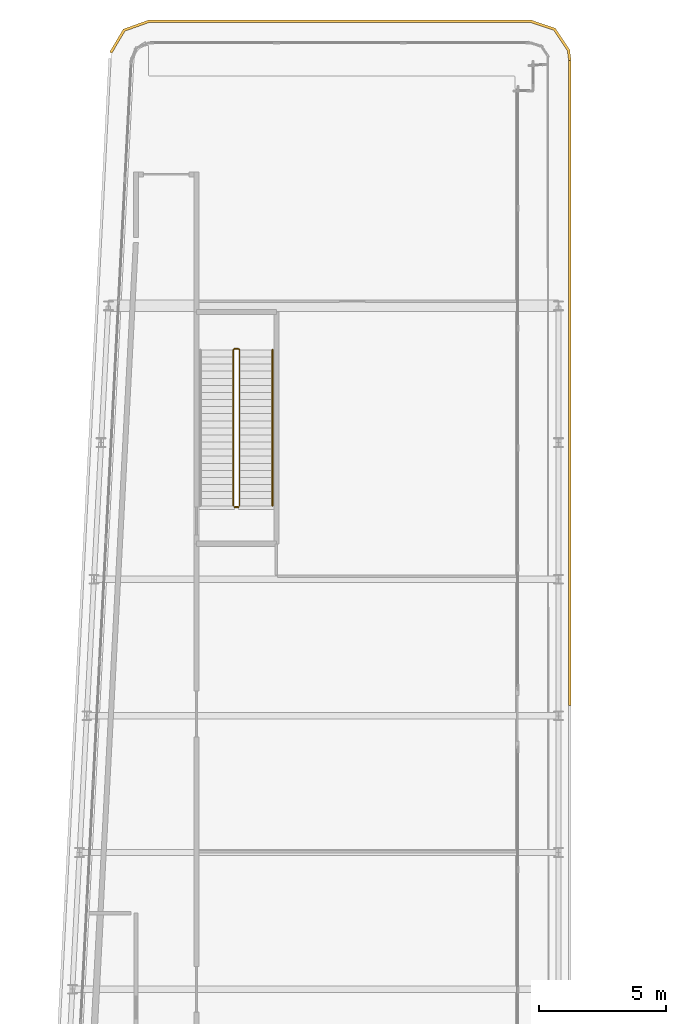
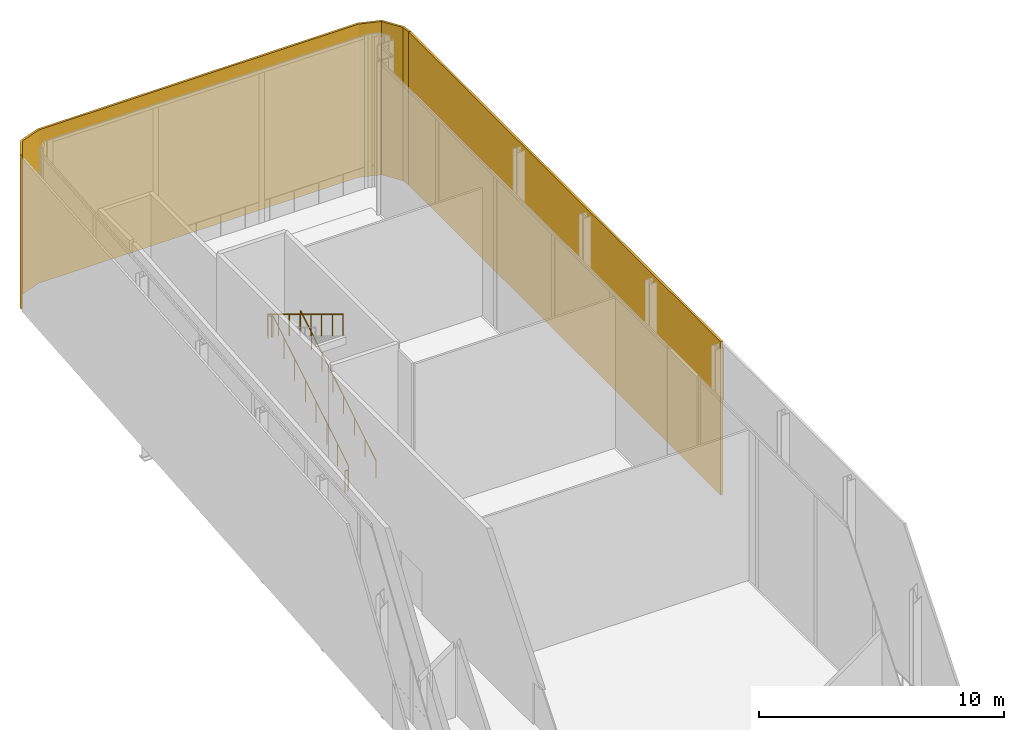
# One storey, part 23 of 23: 3 railings, 2 shading devices.
"""IFC4 building model written with IfcOpenShell, lengths in metres."""

from ifc_helpers import new_model, si_unit, direction, frame, origin, origin_2d, place, context, subcontext, project, spatial, polyline, rectangle, circle, outline, extrude, material, layer, layer_set, type_object, element, save


model = new_model("IFC4")

# Units and contexts
model_context = context("Model", 3, precision=1e-05, world=origin(), true_north=direction((0.0, 1.0)))
body_context = subcontext(model_context, "Body", "Model", "MODEL_VIEW")
ifc_project = project(units=[si_unit("LENGTHUNIT", "METRE"), si_unit("AREAUNIT", "SQUARE_METRE"), si_unit("VOLUMEUNIT", "CUBIC_METRE"), si_unit("PLANEANGLEUNIT", "RADIAN"), si_unit("MASSUNIT", "GRAM", prefix="KILO")], contexts=[model_context])

# Site, building, storey
site_placement = place(None, origin())
site = spatial("IfcSite", under=ifc_project, at=site_placement, CompositionType="ELEMENT")
building_placement = place(site_placement, origin())
building = spatial("IfcBuilding", under=site, at=building_placement, Name="Kheshtan School and Residences Tower", CompositionType="ELEMENT")
storey_placement = place(building_placement, frame((0.0, 0.0, 389.0)))
storey = spatial("IfcBuildingStorey", under=building, at=storey_placement, Name="L92", CompositionType="ELEMENT", Elevation=389.0)

# Shading devices
ifc_material_1 = material(Name="Terracotta baguette, extruded ceramic", Category="masonry")
ifc_layer_1 = layer(ifc_material_1, 0.10009765625)
ifc_layer_set_1 = layer_set([ifc_layer_1], Name="Ledge screen, terracotta baguettes")
shading_device_type_1 = type_object("IfcShadingDeviceType", Name="Ledge screen, terracotta baguettes", PredefinedType="USERDEFINED", material=ifc_layer_set_1)
shading_device_1_placement = place(storey_placement, origin())
element("IfcShadingDevice", 1, at=shading_device_1_placement, inside=storey, type_object=shading_device_type_1, Name="Screen L92 1", ObjectType="BAGUETTE", PredefinedType="USERDEFINED", context=body_context, shape_type="SweptSolid", body=[
    extrude(outline(polyline([(29.949951171875, 98.783935546875), (30.468017578125, 99.656982421875), (31.423095703125, 100.0), (46.5, 100.0), (47.4130859375, 99.68994140625), (47.948974609375, 98.887939453125), (48.0, 98.5), (48.09912109375, 98.512939453125), (48.044921875, 98.924072265625), (47.47705078125, 99.77392578125), (46.51708984375, 100.10009765625), (31.406005859375, 100.10009765625), (30.39990234375, 99.739013671875), (29.864013671875, 98.8349609375), (29.949951171875, 98.783935546875)])), origin(), (0.0, 0.0, 1.0), 7.64990234375),
])
ifc_material_2 = material(Name="Terracotta lattice, extruded ceramic", Category="masonry")
ifc_layer_2 = layer(ifc_material_2, 0.10009765625)
ifc_layer_set_2 = layer_set([ifc_layer_2], Name="Loggia screen, terracotta lattice")
shading_device_type_2 = type_object("IfcShadingDeviceType", Name="Loggia screen, terracotta lattice", PredefinedType="USERDEFINED", material=ifc_layer_set_2)
shading_device_2_placement = place(storey_placement, frame((48.050048828125, 85.75, 0.0), z_axis=(0.0, 0.0, 1.0), x_axis=(0.0, -1.0, 0.0)))
element("IfcShadingDevice", 2, at=shading_device_2_placement, inside=storey, type_object=shading_device_type_2, Name="Screen L92 2", ObjectType="SCREEN", PredefinedType="USERDEFINED", context=body_context, shape_type="SweptSolid", body=[
    extrude(rectangle(XDim=25.5, YDim=0.10009765625, at=origin_2d()), origin(), (0.0, 0.0, 1.0), 7.64990234375),
])

# Railings
ifc_material_3 = material(Name="Stainless steel balustrade", Category="steel")
railing_type_1 = type_object("IfcRailingType", Name="Stair guard 1100", PredefinedType="GUARDRAIL", material=ifc_material_3)
railing_1_placement = place(storey_placement, frame((35.0, 80.89990234375, 0.169677734375)))
element("IfcRailing", 3, at=railing_1_placement, inside=storey, type_object=railing_type_1, Name="L92 ST3 stair guard 1", PredefinedType="GUARDRAIL", context=body_context, shape_type="SweptSolid", body=[
    extrude(circle(Radius=0.02392578125, at=origin_2d()), frame((0.0, 0.0, 1.076171875), z_axis=(0.0, 0.855394938475, 0.51797635007), x_axis=(-1.0, 0.0, 0.0)), (0.0, 0.0, 1.0), 7.201416015625),
    extrude(circle(Radius=0.02392578125, at=origin_2d()), frame((0.0, 6.16015625, 4.80615234375), z_axis=(-0.707106781187, 0.707106781187, 0.0), x_axis=(-0.707106781187, -0.707106781187, 0.0)), (0.0, 0.0, 1.0), 0.07080078125),
    extrude(circle(Radius=0.02392578125, at=origin_2d()), frame((-0.050048828125, 6.210205078125, 4.80615234375), z_axis=(-1.0, 0.0, 0.0), x_axis=(0.0, -1.0, 0.0)), (0.0, 0.0, 1.0), 0.14990234375),
    extrude(circle(Radius=0.02392578125, at=origin_2d()), frame((-0.199951171875, 6.210205078125, 4.80615234375), z_axis=(-0.272228512635, -0.272228512635, 0.92292105503), x_axis=(0.707106781187, -0.707106781187, 0.0)), (0.0, 0.0, 1.0), 0.183837890625),
    extrude(circle(Radius=0.02392578125, at=origin_2d()), frame((-0.25, 6.16015625, 4.97607421875), z_axis=(0.0, -0.855379917629, 0.518001154937), x_axis=(1.0, 0.0, 0.0)), (0.0, 0.0, 1.0), 7.20166015625),
    extrude(circle(Radius=0.02099609375, at=origin_2d()), origin(), (0.0, 0.0, 1.0), 1.052001953125),
    extrude(circle(Radius=0.02099609375, at=origin_2d()), frame((0.0, 0.880126953125, 0.532958984375)), (0.0, 0.0, 1.0), 1.052001953125),
    extrude(circle(Radius=0.02099609375, at=origin_2d()), frame((0.0, 1.760009765625, 1.065673828125)), (0.0, 0.0, 1.0), 1.052001953125),
    extrude(circle(Radius=0.02099609375, at=origin_2d()), frame((0.0, 2.64013671875, 1.5986328125)), (0.0, 0.0, 1.0), 1.052001953125),
    extrude(circle(Radius=0.02099609375, at=origin_2d()), frame((0.0, 3.52001953125, 2.131591796875)), (0.0, 0.0, 1.0), 1.052001953125),
    extrude(circle(Radius=0.02099609375, at=origin_2d()), frame((0.0, 4.400146484375, 2.66455078125)), (0.0, 0.0, 1.0), 1.052001953125),
    extrude(circle(Radius=0.02099609375, at=origin_2d()), frame((0.0, 5.280029296875, 3.197265625)), (0.0, 0.0, 1.0), 1.052001953125),
    extrude(circle(Radius=0.02099609375, at=origin_2d()), frame((0.0, 6.16015625, 3.730224609375)), (0.0, 0.0, 1.0), 1.052001953125),
    extrude(circle(Radius=0.02099609375, at=origin_2d()), frame((-0.050048828125, 6.210205078125, 3.730224609375)), (0.0, 0.0, 1.0), 1.052001953125),
    extrude(circle(Radius=0.02099609375, at=origin_2d()), frame((-0.199951171875, 6.210205078125, 3.730224609375)), (0.0, 0.0, 1.0), 1.052001953125),
    extrude(circle(Radius=0.02099609375, at=origin_2d()), frame((-0.25, 6.16015625, 3.89990234375)), (0.0, 0.0, 1.0), 1.052001953125),
    extrude(circle(Radius=0.02099609375, at=origin_2d()), frame((-0.25, 5.280029296875, 4.432861328125)), (0.0, 0.0, 1.0), 1.052001953125),
    extrude(circle(Radius=0.02099609375, at=origin_2d()), frame((-0.25, 4.400146484375, 4.9658203125)), (0.0, 0.0, 1.0), 1.052001953125),
    extrude(circle(Radius=0.02099609375, at=origin_2d()), frame((-0.25, 3.52001953125, 5.498779296875)), (0.0, 0.0, 1.0), 1.052001953125),
    extrude(circle(Radius=0.02099609375, at=origin_2d()), frame((-0.25, 2.64013671875, 6.031494140625)), (0.0, 0.0, 1.0), 1.052001953125),
    extrude(circle(Radius=0.02099609375, at=origin_2d()), frame((-0.25, 1.760009765625, 6.564453125)), (0.0, 0.0, 1.0), 1.052001953125),
    extrude(circle(Radius=0.02099609375, at=origin_2d()), frame((-0.25, 0.880126953125, 7.097412109375)), (0.0, 0.0, 1.0), 1.052001953125),
    extrude(circle(Radius=0.02099609375, at=origin_2d()), frame((-0.25, 0.0, 7.63037109375)), (0.0, 0.0, 1.0), 1.052001953125),
])
railing_2_placement = place(storey_placement, frame((34.949951171875, 80.85009765625, 0.0)))
element("IfcRailing", 4, at=railing_2_placement, inside=storey, type_object=railing_type_1, Name="L92 ST3 stair guard 2", PredefinedType="GUARDRAIL", context=body_context, shape_type="SweptSolid", body=[
    extrude(circle(Radius=0.02392578125, at=origin_2d()), frame((0.0, 0.0, 1.076171875), z_axis=(-1.0, 0.0, 0.0), x_axis=(0.0, -1.0, 0.0)), (0.0, 0.0, 1.0), 0.14990234375),
    extrude(circle(Radius=0.02099609375, at=origin_2d()), origin(), (0.0, 0.0, 1.0), 1.052001953125),
    extrude(circle(Radius=0.02099609375, at=origin_2d()), frame((-0.14990234375, 0.0, 0.0)), (0.0, 0.0, 1.0), 1.052001953125),
])
ifc_material_4 = material(Name="Stainless steel handrail", Category="steel")
railing_type_2 = type_object("IfcRailingType", Name="Stair handrail 900", PredefinedType="HANDRAIL", material=ifc_material_4)
railing_3_placement = place(storey_placement, frame((36.300048828125, 80.89990234375, 0.169677734375)))
element("IfcRailing", 5, at=railing_3_placement, inside=storey, type_object=railing_type_2, Name="L92 ST3 stair handrail 1", PredefinedType="HANDRAIL", context=body_context, shape_type="SweptSolid", body=[
    extrude(circle(Radius=0.02392578125, at=origin_2d()), frame((0.0, 0.0, 0.8759765625), z_axis=(0.0, 0.855394938475, 0.51797635007), x_axis=(-1.0, 0.0, 0.0)), (0.0, 0.0, 1.0), 7.201416015625),
    extrude(circle(Radius=0.02099609375, at=origin_2d()), origin(), (0.0, 0.0, 1.0), 0.851806640625),
    extrude(circle(Radius=0.02099609375, at=origin_2d()), frame((0.0, 0.880126953125, 0.532958984375)), (0.0, 0.0, 1.0), 0.851806640625),
    extrude(circle(Radius=0.02099609375, at=origin_2d()), frame((0.0, 1.760009765625, 1.065673828125)), (0.0, 0.0, 1.0), 0.851806640625),
    extrude(circle(Radius=0.02099609375, at=origin_2d()), frame((0.0, 2.64013671875, 1.5986328125)), (0.0, 0.0, 1.0), 0.851806640625),
    extrude(circle(Radius=0.02099609375, at=origin_2d()), frame((0.0, 3.52001953125, 2.131591796875)), (0.0, 0.0, 1.0), 0.851806640625),
    extrude(circle(Radius=0.02099609375, at=origin_2d()), frame((0.0, 4.400146484375, 2.66455078125)), (0.0, 0.0, 1.0), 0.851806640625),
    extrude(circle(Radius=0.02099609375, at=origin_2d()), frame((0.0, 5.280029296875, 3.197265625)), (0.0, 0.0, 1.0), 0.851806640625),
    extrude(circle(Radius=0.02099609375, at=origin_2d()), frame((0.0, 6.16015625, 3.730224609375)), (0.0, 0.0, 1.0), 0.851806640625),
])

save(model, "model.ifc")
